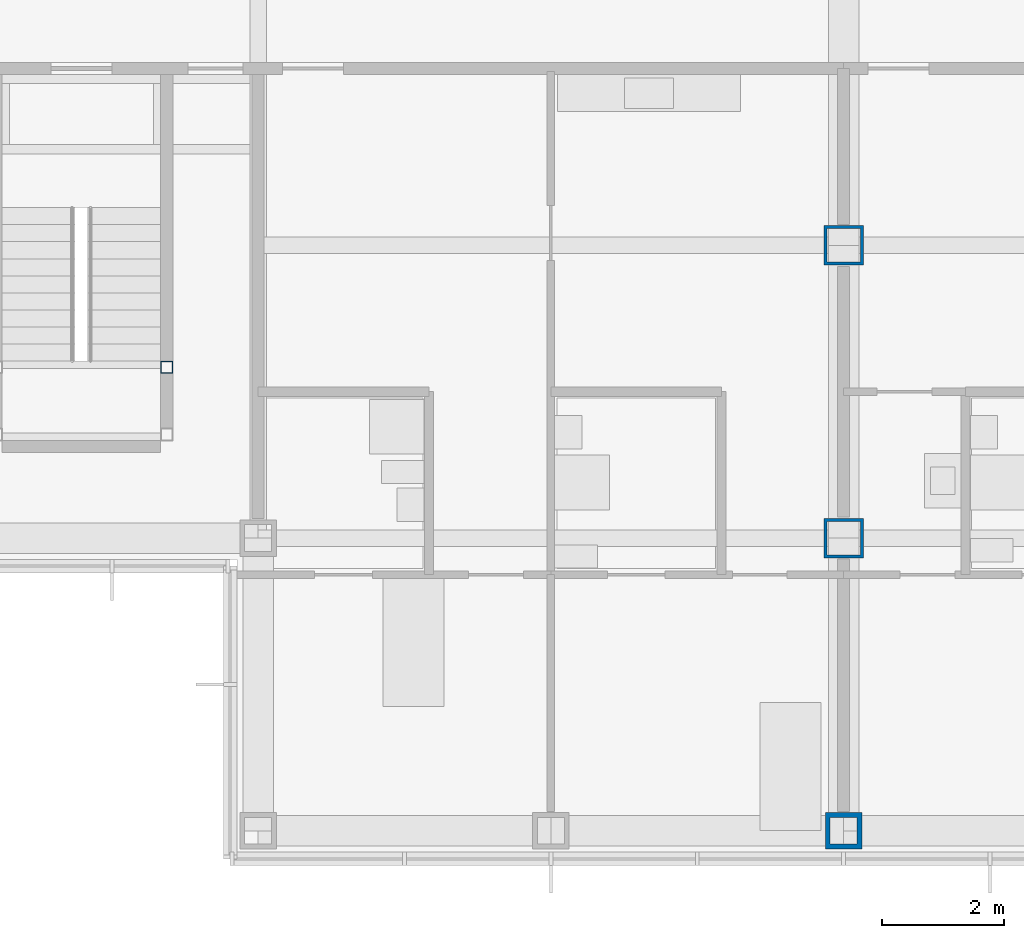
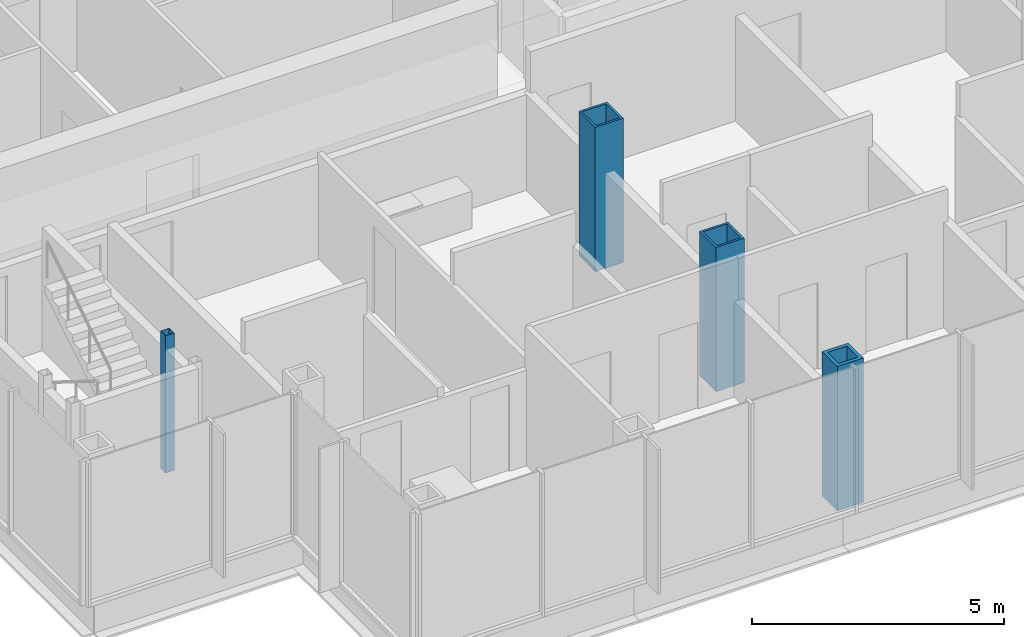
# One storey, part 2 of 20: 4 columns.
"""IFC4 building model written with IfcOpenShell, lengths in metres."""

from ifc_helpers import new_model, si_unit, direction, frame, origin, origin_2d, place, context, subcontext, project, spatial, hollow_rectangle, extrude, material, material_profile, profile_set, type_object, element, save


model = new_model("IFC4")

# Units and contexts
model_context = context("Model", 3, precision=1e-05, world=origin(), true_north=direction((0.0, 1.0)))
body_context = subcontext(model_context, "Body", "Model", "MODEL_VIEW")
ifc_project = project(units=[si_unit("LENGTHUNIT", "METRE"), si_unit("AREAUNIT", "SQUARE_METRE"), si_unit("VOLUMEUNIT", "CUBIC_METRE"), si_unit("PLANEANGLEUNIT", "RADIAN"), si_unit("MASSUNIT", "GRAM", prefix="KILO")], contexts=[model_context])

# Site, building, storey
site_placement = place(None, origin())
site = spatial("IfcSite", under=ifc_project, at=site_placement, CompositionType="ELEMENT")
building_placement = place(site_placement, origin())
building = spatial("IfcBuilding", under=site, at=building_placement, Name="Kvirike Care Tower", CompositionType="ELEMENT")
storey_placement = place(building_placement, frame((0.0, 0.0, 119.0)))
storey = spatial("IfcBuildingStorey", under=building, at=storey_placement, Name="L32", CompositionType="ELEMENT", Elevation=119.0)

# Columns
ifc_material_1 = material(Name="Steel S460", Category="steel")
ifc_material_profile_1 = material_profile(ifc_material_1, hollow_rectangle(XDim=0.60009765625, YDim=0.60009765625, WallThickness=0.080078125, at=origin_2d()), Name="BX 600x600x80")
ifc_profile_set_1 = profile_set([ifc_material_profile_1], Name="Steel S460")
column_type_1 = type_object("IfcColumnType", Name="COLUMN BX 600x600x80", PredefinedType="COLUMN", material=ifc_profile_set_1)
column_1_placement = place(storey_placement, frame((28.800048828125, 14.39990234375, 0.0), z_axis=(0.0, 0.0, 1.0), x_axis=(0.0, 1.0, 0.0)))
element("IfcColumn", 1, at=column_1_placement, inside=storey, type_object=column_type_1, Name="Column D9 L32", PredefinedType="COLUMN", context=body_context, shape_type="SweptSolid", body=[
    extrude(hollow_rectangle(XDim=0.60009765625, YDim=0.60009765625, WallThickness=0.080078125, at=origin_2d()), origin(), (0.0, 0.0, 1.0), 3.5),
])
ifc_material_2 = material(Name="Steel S460", Category="steel")
ifc_material_profile_2 = material_profile(ifc_material_2, hollow_rectangle(XDim=0.64990234375, YDim=0.64990234375, WallThickness=0.050048828125, at=origin_2d()), Name="BX 650x650x50")
ifc_profile_set_2 = profile_set([ifc_material_profile_2], Name="Steel S460")
column_type_2 = type_object("IfcColumnType", Name="COLUMN BX 650x650x50", PredefinedType="COLUMN", material=ifc_profile_set_2)
for number, where, z_axis, x_axis, name in (
    (2, (28.800048828125, 19.199951171875, 0.0), (0.0, 0.0, 1.0), (1.0, 0.0, 0.0), "Column E9 L32"),
    (3, (28.800048828125, 24.0, 0.0), (0.0, 0.0, 1.0), (1.0, 0.0, 0.0), "Column F9 L32"),
):
    element("IfcColumn", number, at=place(storey_placement, frame(where, z_axis=z_axis, x_axis=x_axis)), inside=storey, type_object=column_type_2, Name=name, PredefinedType="COLUMN", context=body_context, shape_type="SweptSolid", body=[
        extrude(hollow_rectangle(XDim=0.64990234375, YDim=0.64990234375, WallThickness=0.050048828125, at=origin_2d()), origin(), (0.0, 0.0, 1.0), 3.5),
    ])
ifc_material_3 = material(Name="Steel S460", Category="steel")
ifc_material_profile_3 = material_profile(ifc_material_3, hollow_rectangle(XDim=0.199951171875, YDim=0.199951171875, WallThickness=0.008056640625, at=origin_2d()), Name="SHS 200x200x8")
ifc_profile_set_3 = profile_set([ifc_material_profile_3], Name="Steel S460")
column_type_3 = type_object("IfcColumnType", Name="STAIR POST SHS 200x200x8", PredefinedType="COLUMN", material=ifc_profile_set_3)
column_2_placement = place(storey_placement, frame((17.699951171875, 22.0, 0.0), z_axis=(0.0, 0.0, 1.0), x_axis=(1.0, 0.0, 0.0)))
element("IfcColumn", 4, at=column_2_placement, inside=storey, type_object=column_type_3, Name="Stair 5 post 4 L32", PredefinedType="COLUMN", context=body_context, shape_type="SweptSolid", body=[
    extrude(hollow_rectangle(XDim=0.199951171875, YDim=0.199951171875, WallThickness=0.008056640625, at=origin_2d()), origin(), (0.0, 0.0, 1.0), 3.330078125),
])

save(model, "model.ifc")
